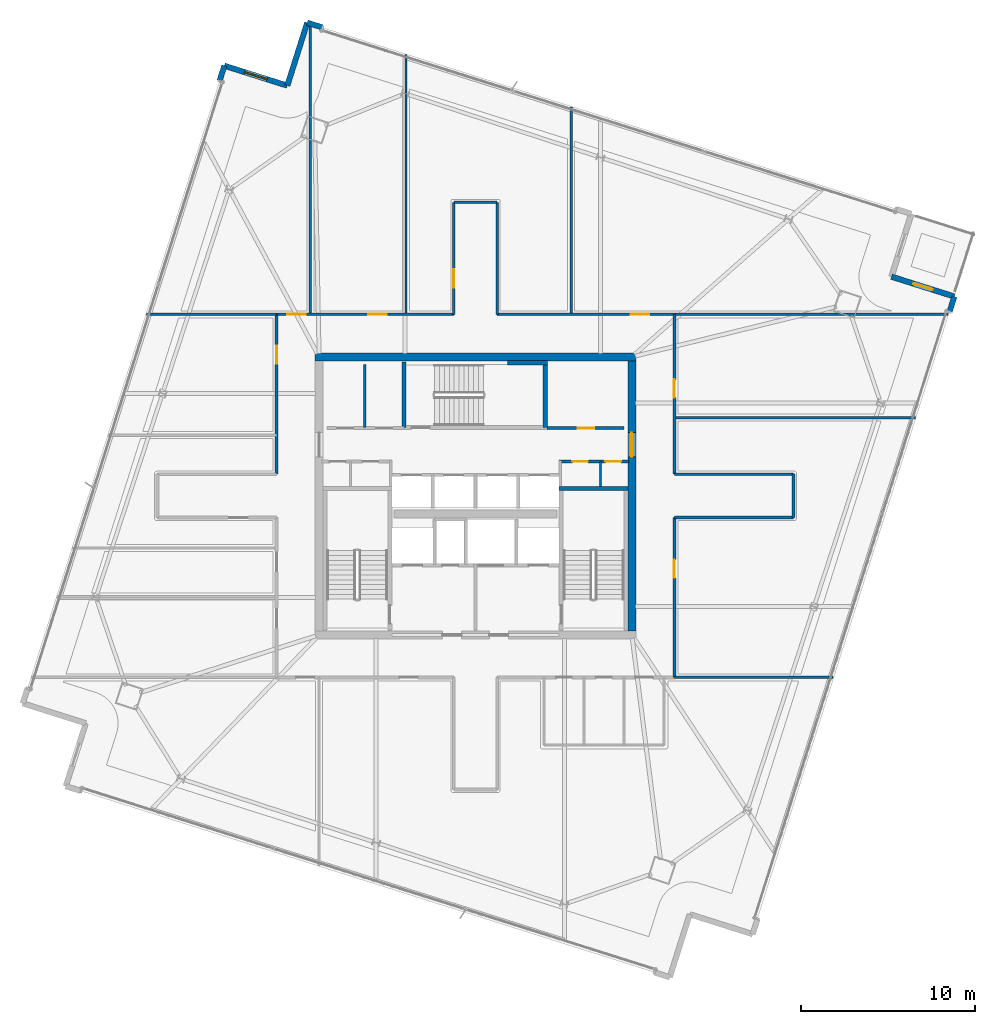
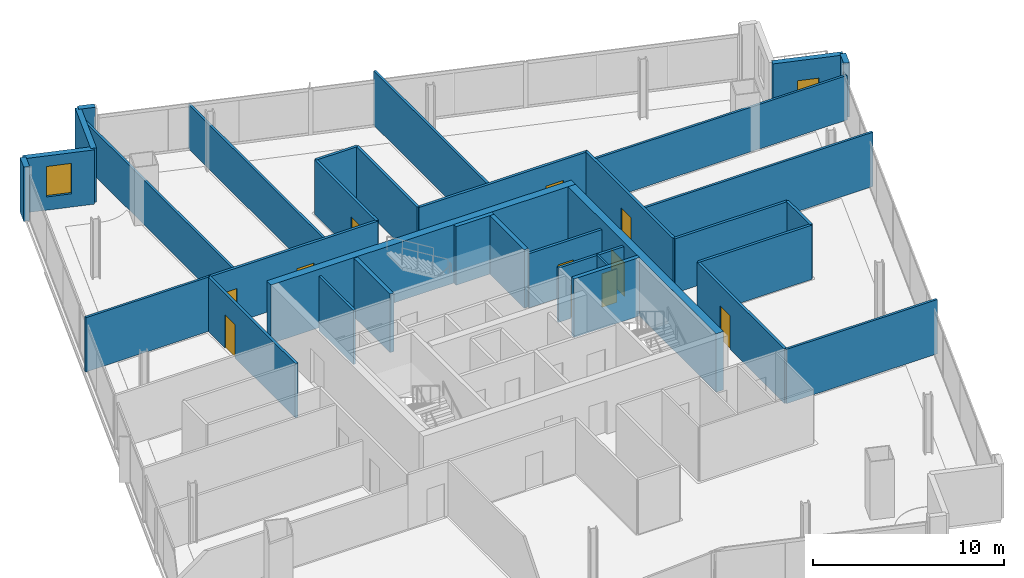
# One storey, part 20 of 26: 34 walls, 12 doors, 1 window, 13 openings.
"""IFC4 building model written with IfcOpenShell, lengths in metres."""

from ifc_helpers import new_model, si_unit, direction, frame, frame_2d, origin, place, context, subcontext, project, spatial, rectangle, extrude, material, layer, layer_set, type_object, element, fill, save


model = new_model("IFC4")

# Units and contexts
model_context = context("Model", 3, precision=1e-05, world=origin(), true_north=direction((0.0, 1.0)))
body_context = subcontext(model_context, "Body", "Model", "MODEL_VIEW")
ifc_project = project(units=[si_unit("LENGTHUNIT", "METRE"), si_unit("AREAUNIT", "SQUARE_METRE"), si_unit("VOLUMEUNIT", "CUBIC_METRE"), si_unit("PLANEANGLEUNIT", "RADIAN"), si_unit("MASSUNIT", "GRAM", prefix="KILO")], contexts=[model_context])

# Site, building, storey
site_placement = place(None, origin())
site = spatial("IfcSite", under=ifc_project, at=site_placement, CompositionType="ELEMENT")
building_placement = place(site_placement, origin())
building = spatial("IfcBuilding", under=site, at=building_placement, Name="Haldenkirk Collegiate Tower", CompositionType="ELEMENT")
storey_placement = place(building_placement, frame((0.0, 0.0, 271.199951171875)))
storey = spatial("IfcBuildingStorey", under=building, at=storey_placement, Name="L68", CompositionType="ELEMENT", Elevation=271.199951171875)

# Wall
ifc_material_1 = material(Name="Concrete f'c 55 MPa", Category="concrete")
ifc_layer_1 = layer(ifc_material_1, 0.449951171875)
ifc_layer_set_1 = layer_set([ifc_layer_1], Name="Concrete f'c 55 MPa")
wall_type_1 = type_object("IfcWallType", Name="WL-CORE-450", PredefinedType="SHEAR", material=ifc_layer_set_1)
wall_1_placement = place(storey_placement, frame((26.77490234375, 34.0, 0.0), z_axis=(0.0, 0.0, 1.0), x_axis=(1.0, 0.0, 0.0)))
element("IfcWall", 1, at=wall_1_placement, inside=storey, type_object=wall_type_1, Name="L68 central core shear wall N", PredefinedType="SHEAR", context=body_context, shape_type="SweptSolid", body=[
    extrude(rectangle(XDim=18.4501953125, YDim=0.449951171875, at=frame_2d((9.22509765625, 0.0))), origin(), (0.0, 0.0, 1.0), 3.75),
])

# Wall, opening, door
wall_2_placement = place(storey_placement, frame((45.0, 18.22509765625, 0.0), z_axis=(0.0, 0.0, 1.0), x_axis=(0.0, 1.0, 0.0)))
wall_2 = element("IfcWall", 2, at=wall_2_placement, inside=storey, type_object=wall_type_1, Name="L68 central core shear wall E", PredefinedType="SHEAR", context=body_context, shape_type="SweptSolid", body=[
    extrude(rectangle(XDim=15.5498046875, YDim=0.449951171875, at=frame_2d((7.77490234375, 0.0))), origin(), (0.0, 0.0, 1.0), 3.75),
])
opening_1_placement = place(wall_2_placement, frame((10.014892578125, 0.0, 0.0)))
opening_1 = element("IfcOpeningElement", 3, at=opening_1_placement, cuts=wall_2, Name="Opening D-03", PredefinedType="OPENING", context=body_context, shape_type="SweptSolid", body=[
    extrude(rectangle(XDim=1.39990234375, YDim=2.199951171875, at=frame_2d((0.699951171875, 1.10009765625))), frame((0.0, 0.23486328125, 0.0), z_axis=(0.0, -1.0, 0.0), x_axis=(1.0, 0.0, 0.0)), (0.0, 0.0, 1.0), 0.469970703125),
])
ifc_material_2 = material(Name="Galvanized fire-rated hollow steel door", Category="steel")
ifc_layer_2 = layer(ifc_material_2, 0.06005859375)
ifc_layer_set_2 = layer_set([ifc_layer_2], Name="Galvanized fire-rated hollow steel door")
door_type_1 = type_object("IfcDoorType", Name="DR-LOBBY-FD90-1400", OperationType="NOTDEFINED", PredefinedType="DOOR", material=ifc_layer_set_2)
door_1_placement = place(opening_1_placement, origin())
door_1 = element("IfcDoor", 4, at=door_1_placement, inside=storey, type_object=door_type_1, Name="L68 east lift lobby portal", OperationType="DOUBLE_DOOR_SINGLE_SWING", OverallHeight=2.199951171875, OverallWidth=1.39990234375, PredefinedType="DOOR", context=body_context, shape_type="SweptSolid", body=[
    extrude(rectangle(XDim=1.39990234375, YDim=2.199951171875, at=frame_2d((0.699951171875, 1.10009765625))), frame((0.0, 0.02490234375, 0.0), z_axis=(0.0, -1.0, 0.0), x_axis=(1.0, 0.0, 0.0)), (0.0, 0.0, 1.0), 0.050048828125),
])
fill(opening_1, door_1)

# Wall
ifc_material_3 = material(Name="Precast concrete f'c 40 MPa", Category="concrete")
ifc_layer_3 = layer(ifc_material_3, 0.320068359375)
ifc_layer_set_3 = layer_set([ifc_layer_3], Name="Precast concrete f'c 40 MPa")
wall_type_2 = type_object("IfcWallType", Name="WL-EXT-TWR-320", PredefinedType="STANDARD", material=ifc_layer_set_3)
wall_3_placement = place(storey_placement, frame((63.567138671875, 37.471435546875, 0.0), z_axis=(0.0, 0.0, 1.0), x_axis=(-0.301378026662, -0.95350473782, 0.0)))
element("IfcWall", 5, at=wall_3_placement, inside=storey, type_object=wall_type_2, Name="L68 precast corner pier SL", PredefinedType="STANDARD", context=body_context, shape_type="SweptSolid", body=[
    extrude(rectangle(XDim=0.89990234375, YDim=0.320068359375, at=frame_2d((0.449951171875, 0.0))), origin(), (0.0, 0.0, 1.0), 3.47998046875),
])

# Wall, opening, door
wall_4_placement = place(storey_placement, frame((59.944091796875, 38.6171875, 0.0), z_axis=(0.0, 0.0, 1.0), x_axis=(0.953459265402, -0.301521855292, 0.0)))
wall_4 = element("IfcWall", 6, at=wall_4_placement, inside=storey, type_object=wall_type_2, Name="L68 bronze precast notch wall 02", PredefinedType="STANDARD", context=body_context, shape_type="SweptSolid", body=[
    extrude(rectangle(XDim=3.7998046875, YDim=0.320068359375, at=frame_2d((1.89990234375, 0.0))), origin(), (0.0, 0.0, 1.0), 3.47998046875),
])
opening_2_placement = place(wall_4_placement, frame((1.324951171875, 0.0, 0.0)))
opening_2 = element("IfcOpeningElement", 7, at=opening_2_placement, cuts=wall_4, Name="Opening D-ST11", PredefinedType="OPENING", context=body_context, shape_type="SweptSolid", body=[
    extrude(rectangle(XDim=1.14990234375, YDim=2.199951171875, at=frame_2d((0.574951171875, 1.10009765625))), frame((0.0, 0.169921875, 0.0), z_axis=(0.0, -1.0, 0.0), x_axis=(1.0, 0.0, 0.0)), (0.0, 0.0, 1.0), 0.340087890625),
])
ifc_material_4 = material(Name="Anodised architectural bronze aluminium", Category="aluminium")
ifc_layer_4 = layer(ifc_material_4, 0.080078125)
ifc_layer_set_4 = layer_set([ifc_layer_4], Name="Anodised architectural bronze aluminium")
door_type_2 = type_object("IfcDoorType", Name="DR-EXT-STER-1150", OperationType="NOTDEFINED", PredefinedType="DOOR", material=ifc_layer_set_4)
door_2_placement = place(opening_2_placement, origin())
door_2 = element("IfcDoor", 8, at=door_2_placement, inside=storey, type_object=door_type_2, Name="L68 spiralling terrace door", OperationType="SINGLE_SWING_LEFT", OverallHeight=2.199951171875, OverallWidth=1.14990234375, PredefinedType="DOOR", context=body_context, shape_type="SweptSolid", body=[
    extrude(rectangle(XDim=1.14990234375, YDim=2.199951171875, at=frame_2d((0.574951171875, 1.10009765625))), frame((0.0, 0.02490234375, 0.0), z_axis=(0.0, -1.0, 0.0), x_axis=(1.0, 0.0, 0.0)), (0.0, 0.0, 1.0), 0.050048828125),
])
fill(opening_2, door_2)

# Walls
wall_5_placement = place(storey_placement, frame((26.312744140625, 53.239013671875, 0.0), z_axis=(0.0, 0.0, 1.0), x_axis=(0.95342675946, -0.301624624899, 0.0)))
element("IfcWall", 9, at=wall_5_placement, inside=storey, type_object=wall_type_2, Name="L68 precast corner pier EL", PredefinedType="STANDARD", context=body_context, shape_type="SweptSolid", body=[
    extrude(rectangle(XDim=0.900146484375, YDim=0.320068359375, at=frame_2d((0.4501953125, 0.0))), origin(), (0.0, 0.0, 1.0), 3.47998046875),
])
wall_6_placement = place(storey_placement, frame((25.166748046875, 49.61572265625, 0.0), z_axis=(0.0, 0.0, 1.0), x_axis=(0.301561788886, 0.953446635887, 0.0)))
element("IfcWall", 10, at=wall_6_placement, inside=storey, type_object=wall_type_2, Name="L68 bronze precast notch wall 05", PredefinedType="STANDARD", context=body_context, shape_type="SweptSolid", body=[
    extrude(rectangle(XDim=3.80029296875, YDim=0.320068359375, at=frame_2d((1.900146484375, 0.0))), origin(), (0.0, 0.0, 1.0), 3.47998046875),
])

# Wall, opening, window
wall_7_placement = place(storey_placement, frame((21.543701171875, 50.76171875, 0.0), z_axis=(0.0, 0.0, 1.0), x_axis=(0.953440793023, -0.301580261621, 0.0)))
wall_7 = element("IfcWall", 11, at=wall_7_placement, inside=storey, type_object=wall_type_2, Name="L68 bronze precast notch wall 06", PredefinedType="STANDARD", context=body_context, shape_type="SweptSolid", body=[
    extrude(rectangle(XDim=3.800048828125, YDim=0.320068359375, at=frame_2d((1.89990234375, 0.0))), origin(), (0.0, 0.0, 1.0), 3.47998046875),
])
opening_3_placement = place(wall_7_placement, frame((1.22509765625, 0.0, 0.85009765625)))
opening_3 = element("IfcOpeningElement", 12, at=opening_3_placement, cuts=wall_7, Name="Opening W-07", PredefinedType="OPENING", context=body_context, shape_type="SweptSolid", body=[
    extrude(rectangle(XDim=1.35009765625, YDim=1.949951171875, at=frame_2d((0.675048828125, 0.97509765625))), frame((0.0, 0.169921875, 0.0), z_axis=(0.0, -1.0, 0.0), x_axis=(1.0, 0.0, 0.0)), (0.0, 0.0, 1.0), 0.340087890625),
])
ifc_material_5 = material(Name="Low-E argon triple insulating glass", Category="glass")
ifc_layer_5 = layer(ifc_material_5, 0.090087890625)
ifc_layer_set_5 = layer_set([ifc_layer_5], Name="Low-E argon triple insulating glass")
window_type = type_object("IfcWindowType", Name="WN-Z5-1350X1950", PartitioningType="SINGLE_PANEL", PredefinedType="WINDOW", material=ifc_layer_set_5)
window_placement = place(opening_3_placement, origin())
window = element("IfcWindow", 13, at=window_placement, inside=storey, type_object=window_type, Name="L68 precast-frame academic window 5", OverallHeight=1.949951171875, OverallWidth=1.35009765625, PartitioningType="SINGLE_PANEL", PredefinedType="WINDOW", context=body_context, shape_type="SweptSolid", body=[
    extrude(rectangle(XDim=1.35009765625, YDim=1.949951171875, at=frame_2d((0.675048828125, 0.97509765625))), frame((0.0, 0.030029296875, 0.0), z_axis=(0.0, -1.0, 0.0), x_axis=(1.0, 0.0, 0.0)), (0.0, 0.0, 1.0), 0.06005859375),
])
fill(opening_3, window)

# Wall
wall_8_placement = place(storey_placement, frame((21.272216796875, 49.903564453125, 0.0), z_axis=(0.0, 0.0, 1.0), x_axis=(0.301624624899, 0.95342675946, 0.0)))
element("IfcWall", 14, at=wall_8_placement, inside=storey, type_object=wall_type_2, Name="L68 precast corner pier NR", PredefinedType="STANDARD", context=body_context, shape_type="SweptSolid", body=[
    extrude(rectangle(XDim=0.900146484375, YDim=0.320068359375, at=frame_2d((0.4501953125, 0.0))), origin(), (0.0, 0.0, 1.0), 3.47998046875),
])

# Wall, openings, doors
ifc_material_6 = material(Name="Acoustic fire-rated gypsum partition", Category="concrete")
ifc_layer_6 = layer(ifc_material_6, 0.159912109375)
ifc_layer_set_6 = layer_set([ifc_layer_6], Name="Acoustic fire-rated gypsum partition")
wall_type_3 = type_object("IfcWallType", Name="WL-INT-CORR-160", PredefinedType="PARTITIONING", material=ifc_layer_set_6)
wall_9_placement = place(storey_placement, frame((40.800048828125, 27.97998046875, 0.0), z_axis=(0.0, 0.0, 1.0), x_axis=(1.0, 0.0, 0.0)))
wall_9 = element("IfcWall", 15, at=wall_9_placement, inside=storey, type_object=wall_type_3, Name="L68 interior partition IW-L68-VCSE-N", PredefinedType="PARTITIONING", context=body_context, shape_type="SweptSolid", body=[
    extrude(rectangle(XDim=4.050048828125, YDim=0.159912109375, at=frame_2d((2.02490234375, 0.0))), origin(), (0.0, 0.0, 1.0), 3.47998046875),
])
opening_4_placement = place(wall_9_placement, frame((0.77001953125, 0.0, 0.0)))
opening_4 = element("IfcOpeningElement", 16, at=opening_4_placement, cuts=wall_9, Name="Opening D-11", PredefinedType="OPENING", context=body_context, shape_type="SweptSolid", body=[
    extrude(rectangle(XDim=0.89990234375, YDim=2.14990234375, at=frame_2d((0.449951171875, 1.074951171875))), frame((0.0, 0.08984375, 0.0), z_axis=(0.0, -1.0, 0.0), x_axis=(1.0, 0.0, 0.0)), (0.0, 0.0, 1.0), 0.179931640625),
])
opening_5_placement = place(wall_9_placement, frame((2.679931640625, 0.0, 0.0)))
opening_5 = element("IfcOpeningElement", 17, at=opening_5_placement, cuts=wall_9, Name="Opening D-11", PredefinedType="OPENING", context=body_context, shape_type="SweptSolid", body=[
    extrude(rectangle(XDim=0.89990234375, YDim=2.14990234375, at=frame_2d((0.449951171875, 1.074951171875))), frame((0.0, 0.08984375, 0.0), z_axis=(0.0, -1.0, 0.0), x_axis=(1.0, 0.0, 0.0)), (0.0, 0.0, 1.0), 0.179931640625),
])
ifc_material_7 = material(Name="Solid-core architectural oak fire door", Category="wood")
ifc_layer_7 = layer(ifc_material_7, 0.06005859375)
ifc_layer_set_7 = layer_set([ifc_layer_7], Name="Solid-core architectural oak fire door")
door_type_3 = type_object("IfcDoorType", Name="DR-INT-FD60-900", OperationType="NOTDEFINED", PredefinedType="DOOR", material=ifc_layer_set_7)
door_3_placement = place(opening_4_placement, origin())
door_3 = element("IfcDoor", 18, at=door_3_placement, inside=storey, type_object=door_type_3, Name="L68 core archive door", OperationType="SINGLE_SWING_LEFT", OverallHeight=2.14990234375, OverallWidth=0.89990234375, PredefinedType="DOOR", context=body_context, shape_type="SweptSolid", body=[
    extrude(rectangle(XDim=0.89990234375, YDim=2.14990234375, at=frame_2d((0.449951171875, 1.074951171875))), frame((0.0, 0.02490234375, 0.0), z_axis=(0.0, -1.0, 0.0), x_axis=(1.0, 0.0, 0.0)), (0.0, 0.0, 1.0), 0.050048828125),
])
fill(opening_4, door_3)
door_4_placement = place(opening_5_placement, origin())
door_4 = element("IfcDoor", 19, at=door_4_placement, inside=storey, type_object=door_type_3, Name="L68 core telecom door", OperationType="SINGLE_SWING_RIGHT", OverallHeight=2.14990234375, OverallWidth=0.89990234375, PredefinedType="DOOR", context=body_context, shape_type="SweptSolid", body=[
    extrude(rectangle(XDim=0.89990234375, YDim=2.14990234375, at=frame_2d((0.449951171875, 1.074951171875))), frame((0.0, 0.02490234375, 0.0), z_axis=(0.0, -1.0, 0.0), x_axis=(1.0, 0.0, 0.0)), (0.0, 0.0, 1.0), 0.050048828125),
])
fill(opening_5, door_4)

# Wall, opening, door
wall_10_placement = place(storey_placement, frame((40.1201171875, 29.89990234375, 0.0), z_axis=(0.0, 0.0, 1.0), x_axis=(1.0, 0.0, 0.0)))
wall_10 = element("IfcWall", 20, at=wall_10_placement, inside=storey, type_object=wall_type_3, Name="L68 interior partition IW-L68-PMS", PredefinedType="PARTITIONING", context=body_context, shape_type="SweptSolid", body=[
    extrude(rectangle(XDim=4.429931640625, YDim=0.159912109375, at=frame_2d((2.21484375, 0.0))), origin(), (0.0, 0.0, 1.0), 3.47998046875),
])
opening_6_placement = place(wall_10_placement, frame((1.7548828125, 0.0, 0.0)))
opening_6 = element("IfcOpeningElement", 21, at=opening_6_placement, cuts=wall_10, Name="Opening D-10", PredefinedType="OPENING", context=body_context, shape_type="SweptSolid", body=[
    extrude(rectangle(XDim=0.949951171875, YDim=2.14990234375, at=frame_2d((0.47509765625, 1.074951171875))), frame((0.0, 0.08984375, 0.0), z_axis=(0.0, -1.0, 0.0), x_axis=(1.0, 0.0, 0.0)), (0.0, 0.0, 1.0), 0.179931640625),
])
ifc_layer_8 = layer(ifc_material_7, 0.06005859375)
ifc_layer_set_8 = layer_set([ifc_layer_8], Name="Solid-core architectural oak fire door")
door_type_4 = type_object("IfcDoorType", Name="DR-INT-FD60-950", OperationType="NOTDEFINED", PredefinedType="DOOR", material=ifc_layer_set_8)
door_5_placement = place(opening_6_placement, origin())
door_5 = element("IfcDoor", 22, at=door_5_placement, inside=storey, type_object=door_type_4, Name="L68 reference archive door", OperationType="SINGLE_SWING_LEFT", OverallHeight=2.14990234375, OverallWidth=0.949951171875, PredefinedType="DOOR", context=body_context, shape_type="SweptSolid", body=[
    extrude(rectangle(XDim=0.949951171875, YDim=2.14990234375, at=frame_2d((0.47509765625, 1.074951171875))), frame((0.0, 0.02490234375, 0.0), z_axis=(0.0, -1.0, 0.0), x_axis=(1.0, 0.0, 0.0)), (0.0, 0.0, 1.0), 0.050048828125),
])
fill(opening_6, door_5)

# Wall, openings, doors
wall_11_placement = place(storey_placement, frame((24.5, 36.449951171875, 0.0), z_axis=(0.0, 0.0, 1.0), x_axis=(1.0, 0.0, 0.0)))
wall_11 = element("IfcWall", 23, at=wall_11_placement, inside=storey, type_object=wall_type_3, Name="L68 interior partition IW-L68-CN1", PredefinedType="PARTITIONING", context=body_context, shape_type="SweptSolid", body=[
    extrude(rectangle(XDim=10.25, YDim=0.159912109375, at=frame_2d((5.125, 0.0))), origin(), (0.0, 0.0, 1.0), 3.47998046875),
])
opening_7_placement = place(wall_11_placement, frame((0.669921875, 0.0, 0.0)))
opening_7 = element("IfcOpeningElement", 24, at=opening_7_placement, cuts=wall_11, Name="Opening D-09", PredefinedType="OPENING", context=body_context, shape_type="SweptSolid", body=[
    extrude(rectangle(XDim=1.050048828125, YDim=2.14990234375, at=frame_2d((0.52490234375, 1.074951171875))), frame((0.0, 0.08984375, 0.0), z_axis=(0.0, -1.0, 0.0), x_axis=(1.0, 0.0, 0.0)), (0.0, 0.0, 1.0), 0.179931640625),
])
opening_8_placement = place(wall_11_placement, frame((5.3349609375, 0.0, 0.0)))
opening_8 = element("IfcOpeningElement", 25, at=opening_8_placement, cuts=wall_11, Name="Opening D-09", PredefinedType="OPENING", context=body_context, shape_type="SweptSolid", body=[
    extrude(rectangle(XDim=1.050048828125, YDim=2.14990234375, at=frame_2d((0.52490234375, 1.074951171875))), frame((0.0, 0.08984375, 0.0), z_axis=(0.0, -1.0, 0.0), x_axis=(1.0, 0.0, 0.0)), (0.0, 0.0, 1.0), 0.179931640625),
])
ifc_layer_9 = layer(ifc_material_7, 0.06005859375)
ifc_layer_set_9 = layer_set([ifc_layer_9], Name="Solid-core architectural oak fire door")
door_type_5 = type_object("IfcDoorType", Name="DR-INT-FD60-1050", OperationType="NOTDEFINED", PredefinedType="DOOR", material=ifc_layer_set_9)
door_6_placement = place(opening_7_placement, origin())
door_6 = element("IfcDoor", 26, at=door_6_placement, inside=storey, type_object=door_type_5, Name="L68 Instrument Store Room 3 door", OperationType="SINGLE_SWING_LEFT", OverallHeight=2.14990234375, OverallWidth=1.050048828125, PredefinedType="DOOR", context=body_context, shape_type="SweptSolid", body=[
    extrude(rectangle(XDim=1.050048828125, YDim=2.14990234375, at=frame_2d((0.52490234375, 1.074951171875))), frame((0.0, 0.02490234375, 0.0), z_axis=(0.0, -1.0, 0.0), x_axis=(1.0, 0.0, 0.0)), (0.0, 0.0, 1.0), 0.050048828125),
])
fill(opening_7, door_6)
door_7_placement = place(opening_8_placement, origin())
door_7 = element("IfcDoor", 27, at=door_7_placement, inside=storey, type_object=door_type_5, Name="L68 Material Specimen Store 4 door", OperationType="SINGLE_SWING_RIGHT", OverallHeight=2.14990234375, OverallWidth=1.050048828125, PredefinedType="DOOR", context=body_context, shape_type="SweptSolid", body=[
    extrude(rectangle(XDim=1.050048828125, YDim=2.14990234375, at=frame_2d((0.52490234375, 1.074951171875))), frame((0.0, 0.02490234375, 0.0), z_axis=(0.0, -1.0, 0.0), x_axis=(1.0, 0.0, 0.0)), (0.0, 0.0, 1.0), 0.050048828125),
])
fill(opening_8, door_7)

# Wall, opening, door
wall_12_placement = place(storey_placement, frame((37.25, 36.449951171875, 0.0), z_axis=(0.0, 0.0, 1.0), x_axis=(1.0, 0.0, 0.0)))
wall_12 = element("IfcWall", 28, at=wall_12_placement, inside=storey, type_object=wall_type_3, Name="L68 interior partition IW-L68-CN2", PredefinedType="PARTITIONING", context=body_context, shape_type="SweptSolid", body=[
    extrude(rectangle(XDim=10.25, YDim=0.159912109375, at=frame_2d((5.125, 0.0))), origin(), (0.0, 0.0, 1.0), 3.47998046875),
])
opening_9_placement = place(wall_12_placement, frame((7.698974609375, 0.0, 0.0)))
opening_9 = element("IfcOpeningElement", 29, at=opening_9_placement, cuts=wall_12, Name="Opening D-09", PredefinedType="OPENING", context=body_context, shape_type="SweptSolid", body=[
    extrude(rectangle(XDim=1.050048828125, YDim=2.14990234375, at=frame_2d((0.52490234375, 1.074951171875))), frame((0.0, 0.08984375, 0.0), z_axis=(0.0, -1.0, 0.0), x_axis=(1.0, 0.0, 0.0)), (0.0, 0.0, 1.0), 0.179931640625),
])
door_8_placement = place(opening_9_placement, origin())
door_8 = element("IfcDoor", 30, at=door_8_placement, inside=storey, type_object=door_type_5, Name="L68 Cleanroom Prep Store 6 door", OperationType="SINGLE_SWING_RIGHT", OverallHeight=2.14990234375, OverallWidth=1.050048828125, PredefinedType="DOOR", context=body_context, shape_type="SweptSolid", body=[
    extrude(rectangle(XDim=1.050048828125, YDim=2.14990234375, at=frame_2d((0.52490234375, 1.074951171875))), frame((0.0, 0.02490234375, 0.0), z_axis=(0.0, -1.0, 0.0), x_axis=(1.0, 0.0, 0.0)), (0.0, 0.0, 1.0), 0.050048828125),
])
fill(opening_9, door_8)

wall_13_placement = place(storey_placement, frame((24.550048828125, 27.25, 0.0), z_axis=(0.0, 0.0, 1.0), x_axis=(0.0, 1.0, 0.0)))
wall_13 = element("IfcWall", 31, at=wall_13_placement, inside=storey, type_object=wall_type_3, Name="L68 interior partition IW-L68-CW2", PredefinedType="PARTITIONING", context=body_context, shape_type="SweptSolid", body=[
    extrude(rectangle(XDim=9.199951171875, YDim=0.159912109375, at=frame_2d((4.60009765625, 0.0))), origin(), (0.0, 0.0, 1.0), 3.47998046875),
])
opening_10_placement = place(wall_13_placement, frame((6.344970703125, 0.0, 0.0)))
opening_10 = element("IfcOpeningElement", 32, at=opening_10_placement, cuts=wall_13, Name="Opening D-09", PredefinedType="OPENING", context=body_context, shape_type="SweptSolid", body=[
    extrude(rectangle(XDim=1.050048828125, YDim=2.14990234375, at=frame_2d((0.52490234375, 1.074951171875))), frame((0.0, 0.08984375, 0.0), z_axis=(0.0, -1.0, 0.0), x_axis=(1.0, 0.0, 0.0)), (0.0, 0.0, 1.0), 0.179931640625),
])
door_9_placement = place(opening_10_placement, origin())
door_9 = element("IfcDoor", 33, at=door_9_placement, inside=storey, type_object=door_type_5, Name="L68 Material Specimen Store 10 door", OperationType="SINGLE_SWING_RIGHT", OverallHeight=2.14990234375, OverallWidth=1.050048828125, PredefinedType="DOOR", context=body_context, shape_type="SweptSolid", body=[
    extrude(rectangle(XDim=1.050048828125, YDim=2.14990234375, at=frame_2d((0.52490234375, 1.074951171875))), frame((0.0, 0.02490234375, 0.0), z_axis=(0.0, -1.0, 0.0), x_axis=(1.0, 0.0, 0.0)), (0.0, 0.0, 1.0), 0.050048828125),
])
fill(opening_10, door_9)

wall_14_placement = place(storey_placement, frame((47.449951171875, 15.550048828125, 0.0), z_axis=(0.0, 0.0, 1.0), x_axis=(0.0, 1.0, 0.0)))
wall_14 = element("IfcWall", 34, at=wall_14_placement, inside=storey, type_object=wall_type_3, Name="L68 interior partition IW-L68-CE1", PredefinedType="PARTITIONING", context=body_context, shape_type="SweptSolid", body=[
    extrude(rectangle(XDim=9.199951171875, YDim=0.159912109375, at=frame_2d((4.60009765625, 0.0))), origin(), (0.0, 0.0, 1.0), 3.47998046875),
])
opening_11_placement = place(wall_14_placement, frame((5.73095703125, 0.0, 0.0)))
opening_11 = element("IfcOpeningElement", 35, at=opening_11_placement, cuts=wall_14, Name="Opening D-09", PredefinedType="OPENING", context=body_context, shape_type="SweptSolid", body=[
    extrude(rectangle(XDim=1.050048828125, YDim=2.14990234375, at=frame_2d((0.52490234375, 1.074951171875))), frame((0.0, 0.08984375, 0.0), z_axis=(0.0, -1.0, 0.0), x_axis=(1.0, 0.0, 0.0)), (0.0, 0.0, 1.0), 0.179931640625),
])
door_10_placement = place(opening_11_placement, origin())
door_10 = element("IfcDoor", 36, at=door_10_placement, inside=storey, type_object=door_type_5, Name="L68 Departmental Archive 11 door", OperationType="SINGLE_SWING_LEFT", OverallHeight=2.14990234375, OverallWidth=1.050048828125, PredefinedType="DOOR", context=body_context, shape_type="SweptSolid", body=[
    extrude(rectangle(XDim=1.050048828125, YDim=2.14990234375, at=frame_2d((0.52490234375, 1.074951171875))), frame((0.0, 0.02490234375, 0.0), z_axis=(0.0, -1.0, 0.0), x_axis=(1.0, 0.0, 0.0)), (0.0, 0.0, 1.0), 0.050048828125),
])
fill(opening_11, door_10)

wall_15_placement = place(storey_placement, frame((47.449951171875, 27.25, 0.0), z_axis=(0.0, 0.0, 1.0), x_axis=(0.0, 1.0, 0.0)))
wall_15 = element("IfcWall", 37, at=wall_15_placement, inside=storey, type_object=wall_type_3, Name="L68 interior partition IW-L68-CE2", PredefinedType="PARTITIONING", context=body_context, shape_type="SweptSolid", body=[
    extrude(rectangle(XDim=9.199951171875, YDim=0.159912109375, at=frame_2d((4.60009765625, 0.0))), origin(), (0.0, 0.0, 1.0), 3.47998046875),
])
opening_12_placement = place(wall_15_placement, frame((4.403076171875, 0.0, 0.0)))
opening_12 = element("IfcOpeningElement", 38, at=opening_12_placement, cuts=wall_15, Name="Opening D-09", PredefinedType="OPENING", context=body_context, shape_type="SweptSolid", body=[
    extrude(rectangle(XDim=1.050048828125, YDim=2.14990234375, at=frame_2d((0.52490234375, 1.074951171875))), frame((0.0, 0.08984375, 0.0), z_axis=(0.0, -1.0, 0.0), x_axis=(1.0, 0.0, 0.0)), (0.0, 0.0, 1.0), 0.179931640625),
])
door_11_placement = place(opening_12_placement, origin())
door_11 = element("IfcDoor", 39, at=door_11_placement, inside=storey, type_object=door_type_5, Name="L68 Cleanroom Prep Store 12 door", OperationType="SINGLE_SWING_RIGHT", OverallHeight=2.14990234375, OverallWidth=1.050048828125, PredefinedType="DOOR", context=body_context, shape_type="SweptSolid", body=[
    extrude(rectangle(XDim=1.050048828125, YDim=2.14990234375, at=frame_2d((0.52490234375, 1.074951171875))), frame((0.0, 0.02490234375, 0.0), z_axis=(0.0, -1.0, 0.0), x_axis=(1.0, 0.0, 0.0)), (0.0, 0.0, 1.0), 0.050048828125),
])
fill(opening_12, door_11)

wall_16_placement = place(storey_placement, frame((34.75, 36.449951171875, 0.0), z_axis=(0.0, 0.0, 1.0), x_axis=(0.0, 1.0, 0.0)))
wall_16 = element("IfcWall", 40, at=wall_16_placement, inside=storey, type_object=wall_type_3, Name="L68 interior partition IW-L68-NPW", PredefinedType="PARTITIONING", context=body_context, shape_type="SweptSolid", body=[
    extrude(rectangle(XDim=6.449951171875, YDim=0.159912109375, at=frame_2d((3.22509765625, 0.0))), origin(), (0.0, 0.0, 1.0), 3.47998046875),
])
opening_13_placement = place(wall_16_placement, frame((1.5390625, 0.0, 0.0)))
opening_13 = element("IfcOpeningElement", 41, at=opening_13_placement, cuts=wall_16, Name="Opening D-09", PredefinedType="OPENING", context=body_context, shape_type="SweptSolid", body=[
    extrude(rectangle(XDim=1.050048828125, YDim=2.14990234375, at=frame_2d((0.52490234375, 1.074951171875))), frame((0.0, 0.08984375, 0.0), z_axis=(0.0, -1.0, 0.0), x_axis=(1.0, 0.0, 0.0)), (0.0, 0.0, 1.0), 0.179931640625),
])
door_12_placement = place(opening_13_placement, origin())
door_12 = element("IfcDoor", 42, at=door_12_placement, inside=storey, type_object=door_type_5, Name="L68 Departmental Archive 5 door", OperationType="SINGLE_SWING_LEFT", OverallHeight=2.14990234375, OverallWidth=1.050048828125, PredefinedType="DOOR", context=body_context, shape_type="SweptSolid", body=[
    extrude(rectangle(XDim=1.050048828125, YDim=2.14990234375, at=frame_2d((0.52490234375, 1.074951171875))), frame((0.0, 0.02490234375, 0.0), z_axis=(0.0, -1.0, 0.0), x_axis=(1.0, 0.0, 0.0)), (0.0, 0.0, 1.0), 0.050048828125),
])
fill(opening_13, door_12)

# Walls
wall_17_placement = place(storey_placement, frame((37.25, 36.449951171875, 0.0), z_axis=(0.0, 0.0, 1.0), x_axis=(0.0, 1.0, 0.0)))
element("IfcWall", 43, at=wall_17_placement, inside=storey, type_object=wall_type_3, Name="L68 interior partition IW-L68-NPE", PredefinedType="PARTITIONING", context=body_context, shape_type="SweptSolid", body=[
    extrude(rectangle(XDim=6.449951171875, YDim=0.159912109375, at=frame_2d((3.22509765625, 0.0))), origin(), (0.0, 0.0, 1.0), 3.47998046875),
])
wall_18_placement = place(storey_placement, frame((34.75, 42.89990234375, 0.0), z_axis=(0.0, 0.0, 1.0), x_axis=(1.0, 0.0, 0.0)))
element("IfcWall", 44, at=wall_18_placement, inside=storey, type_object=wall_type_3, Name="L68 interior partition IW-L68-NPN", PredefinedType="PARTITIONING", context=body_context, shape_type="SweptSolid", body=[
    extrude(rectangle(XDim=2.5, YDim=0.159912109375, at=frame_2d((1.25, 0.0))), origin(), (0.0, 0.0, 1.0), 3.47998046875),
])
for number, where, z_axis, x_axis, name in (
    (45, (47.449951171875, 24.75, 0.0), (0.0, 0.0, 1.0), (1.0, 0.0, 0.0), "L68 interior partition IW-L68-EPS"),
    (46, (47.449951171875, 27.25, 0.0), (0.0, 0.0, 1.0), (1.0, 0.0, 0.0), "L68 interior partition IW-L68-EPN"),
):
    element("IfcWall", number, at=place(storey_placement, frame(where, z_axis=z_axis, x_axis=x_axis)), inside=storey, type_object=wall_type_3, Name=name, PredefinedType="PARTITIONING", context=body_context, shape_type="SweptSolid", body=[
        extrude(rectangle(XDim=6.85009765625, YDim=0.159912109375, at=frame_2d((3.425048828125, 0.0))), origin(), (0.0, 0.0, 1.0), 3.47998046875),
    ])
wall_19_placement = place(storey_placement, frame((54.300048828125, 24.75, 0.0), z_axis=(0.0, 0.0, 1.0), x_axis=(0.0, 1.0, 0.0)))
element("IfcWall", 47, at=wall_19_placement, inside=storey, type_object=wall_type_3, Name="L68 interior partition IW-L68-EPE", PredefinedType="PARTITIONING", context=body_context, shape_type="SweptSolid", body=[
    extrude(rectangle(XDim=2.5, YDim=0.159912109375, at=frame_2d((1.25, 0.0))), origin(), (0.0, 0.0, 1.0), 3.47998046875),
])
ifc_layer_10 = layer(ifc_material_6, 0.139892578125)
ifc_layer_set_10 = layer_set([ifc_layer_10], Name="Acoustic fire-rated gypsum partition")
wall_type_4 = type_object("IfcWallType", Name="WL-INT-DIV-140", PredefinedType="PARTITIONING", material=ifc_layer_set_10)
wall_20_placement = place(storey_placement, frame((29.6201171875, 29.949951171875, 0.0), z_axis=(0.0, 0.0, 1.0), x_axis=(0.0, 1.0, 0.0)))
element("IfcWall", 48, at=wall_20_placement, inside=storey, type_object=wall_type_4, Name="L68 interior partition IW-L68-PLDIV", PredefinedType="PARTITIONING", context=body_context, shape_type="SweptSolid", body=[
    extrude(rectangle(XDim=3.60009765625, YDim=0.139892578125, at=frame_2d((1.800048828125, 0.0))), origin(), (0.0, 0.0, 1.0), 3.47998046875),
])
wall_21_placement = place(storey_placement, frame((17.0595703125, 36.449951171875, 0.0), z_axis=(0.0, 0.0, 1.0), x_axis=(1.0, 0.0, 0.0)))
element("IfcWall", 49, at=wall_21_placement, inside=storey, type_object=wall_type_4, Name="L68 interior partition IW-L68-BWN", PredefinedType="PARTITIONING", context=body_context, shape_type="SweptSolid", body=[
    extrude(rectangle(XDim=7.490478515625, YDim=0.139892578125, at=frame_2d((3.7451171875, 0.0))), origin(), (0.0, 0.0, 1.0), 3.47998046875),
])
wall_22_placement = place(storey_placement, frame((47.449951171875, 15.550048828125, 0.0), z_axis=(0.0, 0.0, 1.0), x_axis=(1.0, 0.0, 0.0)))
element("IfcWall", 50, at=wall_22_placement, inside=storey, type_object=wall_type_4, Name="L68 interior partition IW-L68-BES", PredefinedType="PARTITIONING", context=body_context, shape_type="SweptSolid", body=[
    extrude(rectangle(XDim=9.142333984375, YDim=0.139892578125, at=frame_2d((4.5712890625, 0.0))), origin(), (0.0, 0.0, 1.0), 3.47998046875),
])
wall_23_placement = place(storey_placement, frame((47.449951171875, 36.449951171875, 0.0), z_axis=(0.0, 0.0, 1.0), x_axis=(1.0, 0.0, 0.0)))
element("IfcWall", 51, at=wall_23_placement, inside=storey, type_object=wall_type_4, Name="L68 interior partition IW-L68-BEN", PredefinedType="PARTITIONING", context=body_context, shape_type="SweptSolid", body=[
    extrude(rectangle(XDim=15.752197265625, YDim=0.139892578125, at=frame_2d((7.8759765625, 0.0))), origin(), (0.0, 0.0, 1.0), 2.858154296875),
])
wall_24_placement = place(storey_placement, frame((26.5, 36.449951171875, 0.0), z_axis=(0.0, 0.0, 1.0), x_axis=(0.0, 1.0, 0.0)))
element("IfcWall", 52, at=wall_24_placement, inside=storey, type_object=wall_type_4, Name="L68 interior partition IW-L68-RN1", PredefinedType="PARTITIONING", context=body_context, shape_type="SweptSolid", body=[
    extrude(rectangle(XDim=16.687744140625, YDim=0.139892578125, at=frame_2d((8.34375, 0.0))), origin(), (0.0, 0.0, 1.0), 2.858154296875),
])
wall_25_placement = place(storey_placement, frame((32.0, 36.449951171875, 0.0), z_axis=(0.0, 0.0, 1.0), x_axis=(0.0, 1.0, 0.0)))
element("IfcWall", 53, at=wall_25_placement, inside=storey, type_object=wall_type_4, Name="L68 interior partition IW-L68-RN2", PredefinedType="PARTITIONING", context=body_context, shape_type="SweptSolid", body=[
    extrude(rectangle(XDim=14.948486328125, YDim=0.139892578125, at=frame_2d((7.47412109375, 0.0))), origin(), (0.0, 0.0, 1.0), 2.858154296875),
])
wall_26_placement = place(storey_placement, frame((41.5, 36.449951171875, 0.0), z_axis=(0.0, 0.0, 1.0), x_axis=(0.0, 1.0, 0.0)))
element("IfcWall", 54, at=wall_26_placement, inside=storey, type_object=wall_type_4, Name="L68 interior partition IW-L68-RN3", PredefinedType="PARTITIONING", context=body_context, shape_type="SweptSolid", body=[
    extrude(rectangle(XDim=11.94384765625, YDim=0.139892578125, at=frame_2d((5.971923828125, 0.0))), origin(), (0.0, 0.0, 1.0), 3.47998046875),
])
wall_27_placement = place(storey_placement, frame((47.449951171875, 30.5, 0.0), z_axis=(0.0, 0.0, 1.0), x_axis=(1.0, 0.0, 0.0)))
element("IfcWall", 55, at=wall_27_placement, inside=storey, type_object=wall_type_4, Name="L68 interior partition IW-L68-RE1", PredefinedType="PARTITIONING", context=body_context, shape_type="SweptSolid", body=[
    extrude(rectangle(XDim=13.87060546875, YDim=0.139892578125, at=frame_2d((6.935302734375, 0.0))), origin(), (0.0, 0.0, 1.0), 3.47998046875),
])
ifc_layer_11 = layer(ifc_material_6, 0.1201171875)
ifc_layer_set_11 = layer_set([ifc_layer_11], Name="Acoustic fire-rated gypsum partition")
wall_type_5 = type_object("IfcWallType", Name="WL-INT-WET-120", PredefinedType="PARTITIONING", material=ifc_layer_set_11)
wall_28_placement = place(storey_placement, frame((43.199951171875, 26.5400390625, 0.0), z_axis=(0.0, 0.0, 1.0), x_axis=(0.0, 1.0, 0.0)))
element("IfcWall", 56, at=wall_28_placement, inside=storey, type_object=wall_type_5, Name="L68 interior partition IW-L68-VCSE-M", PredefinedType="PARTITIONING", context=body_context, shape_type="SweptSolid", body=[
    extrude(rectangle(XDim=1.43994140625, YDim=0.1201171875, at=frame_2d((0.719970703125, 0.0))), origin(), (0.0, 0.0, 1.0), 3.47998046875),
])
ifc_layer_12 = layer(ifc_material_1, 0.239990234375)
ifc_layer_set_12 = layer_set([ifc_layer_12], Name="Concrete f'c 55 MPa")
wall_type_6 = type_object("IfcWallType", Name="WL-SHAFT-240", PredefinedType="SHEAR", material=ifc_layer_set_12)
wall_29_placement = place(storey_placement, frame((40.81005859375, 26.419921875, 0.0), z_axis=(0.0, 0.0, 1.0), x_axis=(1.0, 0.0, 0.0)))
element("IfcWall", 57, at=wall_29_placement, inside=storey, type_object=wall_type_6, Name="L68 stair shaft shear wall SW-L68-ST2N", PredefinedType="SHEAR", context=body_context, shape_type="SweptSolid", body=[
    extrude(rectangle(XDim=3.97998046875, YDim=0.239990234375, at=frame_2d((1.989990234375, 0.0))), origin(), (0.0, 0.0, 1.0), 3.75),
])
wall_30_placement = place(storey_placement, frame((31.8798828125, 29.929931640625, 0.0), z_axis=(0.0, 0.0, 1.0), x_axis=(0.0, 1.0, 0.0)))
element("IfcWall", 58, at=wall_30_placement, inside=storey, type_object=wall_type_6, Name="L68 stair shaft shear wall SW-L68-ST3W", PredefinedType="SHEAR", context=body_context, shape_type="SweptSolid", body=[
    extrude(rectangle(XDim=3.7900390625, YDim=0.239990234375, at=frame_2d((1.89501953125, 0.0))), origin(), (0.0, 0.0, 1.0), 3.75),
])
wall_31_placement = place(storey_placement, frame((40.02001953125, 29.929931640625, 0.0), z_axis=(0.0, 0.0, 1.0), x_axis=(0.0, 1.0, 0.0)))
element("IfcWall", 59, at=wall_31_placement, inside=storey, type_object=wall_type_6, Name="L68 stair shaft shear wall SW-L68-ST3E", PredefinedType="SHEAR", context=body_context, shape_type="SweptSolid", body=[
    extrude(rectangle(XDim=3.85009765625, YDim=0.239990234375, at=frame_2d((1.925048828125, 0.0))), origin(), (0.0, 0.0, 1.0), 3.75),
])
wall_32_placement = place(storey_placement, frame((37.85009765625, 33.659912109375, 0.0), z_axis=(0.0, 0.0, 1.0), x_axis=(1.0, 0.0, 0.0)))
element("IfcWall", 60, at=wall_32_placement, inside=storey, type_object=wall_type_6, Name="L68 stair shaft shear wall SW-L68-ST3N", PredefinedType="SHEAR", context=body_context, shape_type="SweptSolid", body=[
    extrude(rectangle(XDim=2.289794921875, YDim=0.239990234375, at=frame_2d((1.14501953125, 0.0))), origin(), (0.0, 0.0, 1.0), 3.75),
])

save(model, "model.ifc")
